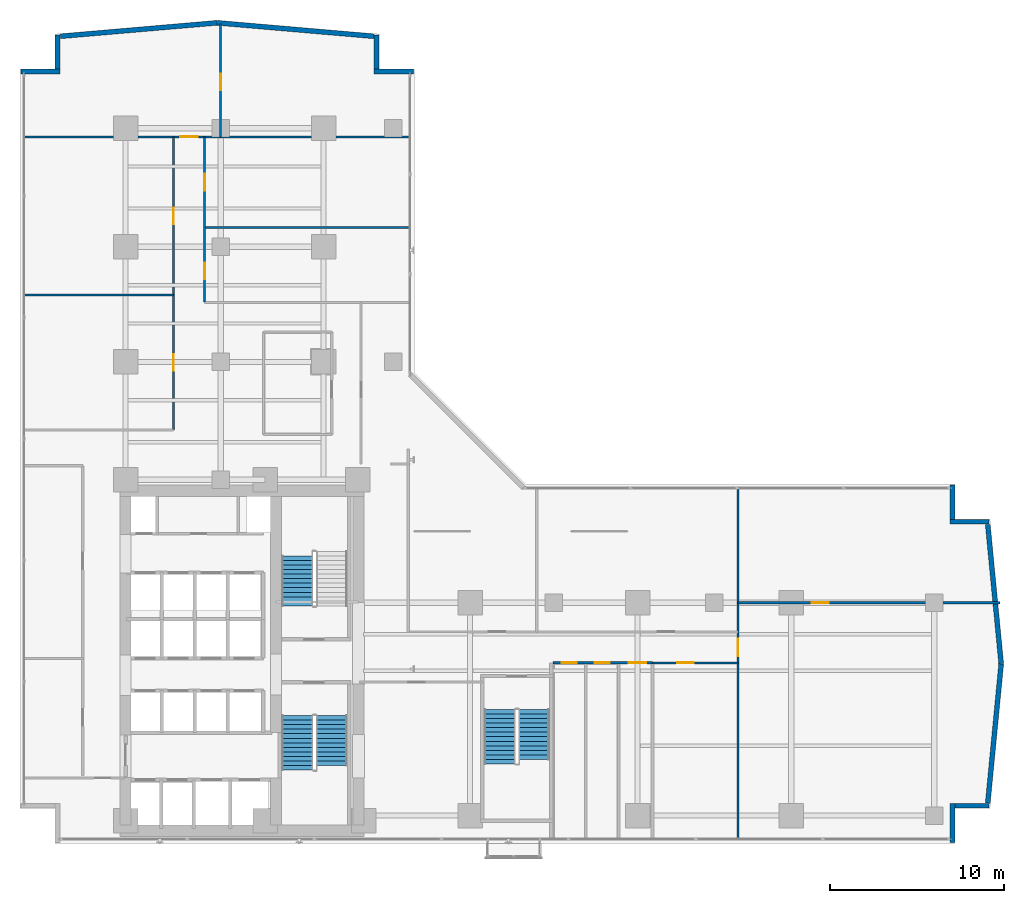
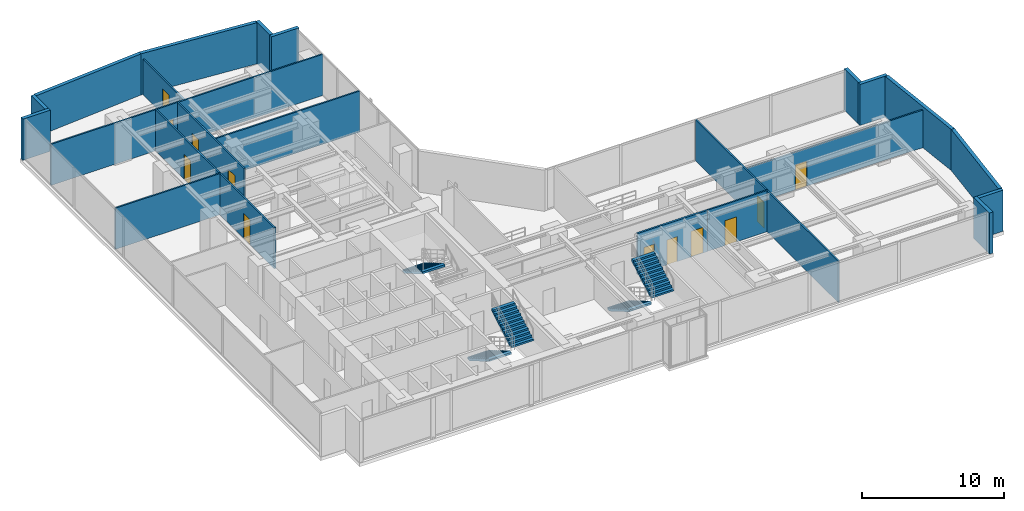
# One storey, part 21 of 26: 22 walls, 12 doors, 5 stair flights, 12 openings, 3 elements without a shape of their own.
"""IFC4 building model written with IfcOpenShell, lengths in metres."""

from ifc_helpers import new_model, si_unit, direction, frame, frame_2d, origin, place, context, subcontext, project, spatial, polyline, rectangle, outline, extrude, material, layer, layer_set, type_object, element, fill, aggregate, save


model = new_model("IFC4")

# Units and contexts
model_context = context("Model", 3, precision=1e-05, world=origin(), true_north=direction((0.0, 1.0)))
body_context = subcontext(model_context, "Body", "Model", "MODEL_VIEW")
ifc_project = project(units=[si_unit("LENGTHUNIT", "METRE"), si_unit("AREAUNIT", "SQUARE_METRE"), si_unit("VOLUMEUNIT", "CUBIC_METRE"), si_unit("PLANEANGLEUNIT", "RADIAN"), si_unit("MASSUNIT", "GRAM", prefix="KILO")], contexts=[model_context])

# Site, building, storey
site_placement = place(None, origin())
site = spatial("IfcSite", under=ifc_project, at=site_placement, CompositionType="ELEMENT")
building_placement = place(site_placement, origin())
building = spatial("IfcBuilding", under=site, at=building_placement, Name="Kolvaren Waterfront Exchange", CompositionType="ELEMENT")
storey_placement = place(building_placement, frame((0.0, 0.0, 110.699951171875)))
storey = spatial("IfcBuildingStorey", under=building, at=storey_placement, Name="L28", CompositionType="ELEMENT", Elevation=110.699951171875)

# Walls
ifc_material_1 = material(Name="Precast concrete C40/50", Category="concrete")
ifc_layer_1 = layer(ifc_material_1, 0.280029296875, Name="Precast concrete C40/50")
ifc_layer_set_1 = layer_set([ifc_layer_1], Name="Precast concrete C40/50")
wall_type_1 = type_object("IfcWallType", Name="ARC-EXT-TERR-280", PredefinedType="SOLIDWALL", material=ifc_layer_set_1)
wall_1_placement = place(storey_placement, frame((54.840087890625, 3.659912109375, 0.0), z_axis=(0.0, 0.0, 1.0), x_axis=(0.0, 1.0, 0.0)))
element("IfcWall", 1, at=wall_1_placement, inside=storey, type_object=wall_type_1, Name="L28 notched corner spandrel pier SE-A", PredefinedType="SOLIDWALL", context=body_context, shape_type="SweptSolid", body=[
    extrude(rectangle(XDim=2.239990234375, YDim=0.280029296875, at=frame_2d((1.1201171875, 0.0))), origin(), (0.0, 0.0, 1.0), 3.5400390625),
])
wall_2_placement = place(storey_placement, frame((54.97998046875, 5.760009765625, 0.0), z_axis=(0.0, 0.0, 1.0), x_axis=(1.0, 0.0, 0.0)))
element("IfcWall", 2, at=wall_2_placement, inside=storey, type_object=wall_type_1, Name="L28 notched corner spandrel pier SE-B", PredefinedType="SOLIDWALL", context=body_context, shape_type="SweptSolid", body=[
    extrude(rectangle(XDim=1.9599609375, YDim=0.280029296875, at=frame_2d((0.97998046875, 0.0))), origin(), (0.0, 0.0, 1.0), 3.5400390625),
])
wall_3_placement = place(storey_placement, frame((54.840087890625, 22.1650390625, 0.0), z_axis=(0.0, 0.0, 1.0), x_axis=(0.0, 1.0, 0.0)))
element("IfcWall", 3, at=wall_3_placement, inside=storey, type_object=wall_type_1, Name="L28 notched corner spandrel pier ENE-A", PredefinedType="SOLIDWALL", context=body_context, shape_type="SweptSolid", body=[
    extrude(rectangle(XDim=1.974853515625, YDim=0.280029296875, at=frame_2d((0.9873046875, 0.0))), origin(), (0.0, 0.0, 1.0), 3.5400390625),
])
for number, where, z_axis, x_axis, name in (
    (4, (54.699951171875, 22.0400390625, 0.0), (0.0, 0.0, 1.0), (1.0, 0.0, 0.0), "L28 notched corner spandrel pier ENE-B"),
    (5, (21.699951171875, 47.840087890625, 0.0), (0.0, 0.0, 1.0), (1.0, 0.0, 0.0), "L28 notched corner spandrel pier NNE-A"),
):
    element("IfcWall", number, at=place(storey_placement, frame(where, z_axis=z_axis, x_axis=x_axis)), inside=storey, type_object=wall_type_1, Name=name, PredefinedType="SOLIDWALL", context=body_context, shape_type="SweptSolid", body=[
        extrude(rectangle(XDim=2.239990234375, YDim=0.280029296875, at=frame_2d((1.1201171875, 0.0))), origin(), (0.0, 0.0, 1.0), 3.5400390625),
    ])
wall_4_placement = place(storey_placement, frame((21.840087890625, 47.97998046875, 0.0), z_axis=(0.0, 0.0, 1.0), x_axis=(0.0, 1.0, 0.0)))
element("IfcWall", 6, at=wall_4_placement, inside=storey, type_object=wall_type_1, Name="L28 notched corner spandrel pier NNE-B", PredefinedType="SOLIDWALL", context=body_context, shape_type="SweptSolid", body=[
    extrude(rectangle(XDim=1.9599609375, YDim=0.280029296875, at=frame_2d((0.97998046875, 0.0))), origin(), (0.0, 0.0, 1.0), 3.5400390625),
])
wall_5_placement = place(storey_placement, frame((1.4599609375, 47.840087890625, 0.0), z_axis=(0.0, 0.0, 1.0), x_axis=(1.0, 0.0, 0.0)))
element("IfcWall", 7, at=wall_5_placement, inside=storey, type_object=wall_type_1, Name="L28 notched corner spandrel pier NW-A", PredefinedType="SOLIDWALL", context=body_context, shape_type="SweptSolid", body=[
    extrude(rectangle(XDim=2.239990234375, YDim=0.280029296875, at=frame_2d((1.1201171875, 0.0))), origin(), (0.0, 0.0, 1.0), 3.5400390625),
])
wall_6_placement = place(storey_placement, frame((3.56005859375, 47.97998046875, 0.0), z_axis=(0.0, 0.0, 1.0), x_axis=(0.0, 1.0, 0.0)))
element("IfcWall", 8, at=wall_6_placement, inside=storey, type_object=wall_type_1, Name="L28 notched corner spandrel pier NW-B", PredefinedType="SOLIDWALL", context=body_context, shape_type="SweptSolid", body=[
    extrude(rectangle(XDim=1.9599609375, YDim=0.280029296875, at=frame_2d((0.97998046875, 0.0))), origin(), (0.0, 0.0, 1.0), 3.5400390625),
])
for number, where, z_axis, x_axis, name in (
    (9, (56.869384765625, 5.9140625, 0.0), (0.0, 0.0, 1.0), (0.095969995245, 0.995384227328, 0.0), "L28 east prow faceted facade wall 1"),
    (10, (57.638916015625, 13.904541015625, 0.0), (0.0, 0.0, 1.0), (-0.095969995245, 0.995384227328, 0.0), "L28 east prow faceted facade wall 2"),
):
    element("IfcWall", number, at=place(storey_placement, frame(where, z_axis=z_axis, x_axis=x_axis)), inside=storey, type_object=wall_type_1, Name=name, PredefinedType="SOLIDWALL", context=body_context, shape_type="SweptSolid", body=[
        extrude(rectangle(XDim=8.0185546875, YDim=0.280029296875, at=frame_2d((4.00927734375, 0.0))), origin(), (0.0, 0.0, 1.0), 3.5400390625),
    ])
for number, where, z_axis, x_axis, name in (
    (11, (21.6875, 49.8662109375, 0.0), (0.0, 0.0, 1.0), (-0.996319339243, 0.085719159179, 0.0), "L28 north prow faceted facade wall 1"),
    (12, (12.69384765625, 50.638916015625, 0.0), (0.0, 0.0, 1.0), (-0.996319339243, -0.085719159179, 0.0), "L28 north prow faceted facade wall 2"),
):
    element("IfcWall", number, at=place(storey_placement, frame(where, z_axis=z_axis, x_axis=x_axis)), inside=storey, type_object=wall_type_1, Name=name, PredefinedType="SOLIDWALL", context=body_context, shape_type="SweptSolid", body=[
        extrude(rectangle(XDim=9.014404296875, YDim=0.280029296875, at=frame_2d((4.50732421875, 0.0))), origin(), (0.0, 0.0, 1.0), 3.5400390625),
    ])

# Wall, opening, door
ifc_material_2 = material(Name="Acoustic gypsum steel stud", Category="steel")
ifc_layer_2 = layer(ifc_material_2, 0.125, Name="Acoustic gypsum steel stud")
ifc_layer_set_2 = layer_set([ifc_layer_2], Name="Acoustic gypsum steel stud")
wall_type_2 = type_object("IfcWallType", Name="ARC-PART-125", PredefinedType="PARTITIONING", material=ifc_layer_set_2)
wall_7_placement = place(storey_placement, frame((37.64990234375, 13.949951171875, 0.0), z_axis=(0.0, 0.0, 1.0), x_axis=(1.0, 0.0, 0.0)))
wall_7 = element("IfcWall", 13, at=wall_7_placement, inside=storey, type_object=wall_type_2, Name="L28 interior wall PW-L28-ES-CORR", PredefinedType="PARTITIONING", context=body_context, shape_type="SweptSolid", body=[
    extrude(rectangle(XDim=4.900146484375, YDim=0.125, at=frame_2d((2.4501953125, 0.0))), origin(), (0.0, 0.0, 1.0), 3.5400390625),
])
opening_1_placement = place(wall_7_placement, frame((1.4267578125, 0.0, 0.0)))
opening_1 = element("IfcOpeningElement", 14, at=opening_1_placement, cuts=wall_7, Name="Opening D02", PredefinedType="OPENING", context=body_context, shape_type="SweptSolid", body=[
    extrude(rectangle(XDim=0.949951171875, YDim=2.14990234375, at=frame_2d((0.47509765625, 1.074951171875))), frame((0.0, 0.072509765625, 0.0), z_axis=(0.0, -1.0, 0.0), x_axis=(1.0, 0.0, 0.0)), (0.0, 0.0, 1.0), 0.14501953125),
])
ifc_material_3 = material(Name="Oak veneer acoustic timber", Category="wood")
door_type_1 = type_object("IfcDoorType", Name="ARC-DR-950", OperationType="NOTDEFINED", PredefinedType="DOOR", material=ifc_material_3)
door_1_placement = place(opening_1_placement, origin())
door_1 = element("IfcDoor", 15, at=door_1_placement, inside=storey, type_object=door_type_1, Name="L28 door DR-L28-ES-D-1 (D02)", OperationType="SINGLE_SWING_LEFT", OverallHeight=2.14990234375, OverallWidth=0.949951171875, PredefinedType="DOOR", context=body_context, shape_type="SweptSolid", body=[
    extrude(rectangle(XDim=0.949951171875, YDim=2.14990234375, at=frame_2d((0.47509765625, 1.074951171875))), frame((0.0, 0.02490234375, 0.0), z_axis=(0.0, -1.0, 0.0), x_axis=(1.0, 0.0, 0.0)), (0.0, 0.0, 1.0), 0.050048828125),
])
fill(opening_1, door_1)

wall_8_placement = place(storey_placement, frame((42.550048828125, 3.840087890625, 0.0), z_axis=(0.0, 0.0, 1.0), x_axis=(0.0, 1.0, 0.0)))
wall_8 = element("IfcWall", 16, at=wall_8_placement, inside=storey, type_object=wall_type_2, Name="L28 interior wall PW-L28-ETIP-W", PredefinedType="PARTITIONING", context=body_context, shape_type="SweptSolid", body=[
    extrude(rectangle(XDim=20.119873046875, YDim=0.125, at=frame_2d((10.06005859375, 0.0))), origin(), (0.0, 0.0, 1.0), 3.5400390625),
])
opening_2_placement = place(wall_8_placement, frame((10.5, 0.0, 0.0)))
opening_2 = element("IfcOpeningElement", 17, at=opening_2_placement, cuts=wall_8, Name="Opening D03", PredefinedType="OPENING", context=body_context, shape_type="SweptSolid", body=[
    extrude(rectangle(XDim=1.0, YDim=2.199951171875, at=frame_2d((0.5, 1.10009765625))), frame((0.0, 0.072509765625, 0.0), z_axis=(0.0, -1.0, 0.0), x_axis=(1.0, 0.0, 0.0)), (0.0, 0.0, 1.0), 0.14501953125),
])
ifc_material_4 = material(Name="Oak veneer accessible timber", Category="wood")
door_type_2 = type_object("IfcDoorType", Name="ARC-DR-1000", OperationType="NOTDEFINED", PredefinedType="DOOR", material=ifc_material_4)
door_2_placement = place(opening_2_placement, origin())
door_2 = element("IfcDoor", 18, at=door_2_placement, inside=storey, type_object=door_type_2, Name="L28 door DR-L28-ETIP1-D (D03)", OperationType="SINGLE_SWING_RIGHT", OverallHeight=2.199951171875, OverallWidth=1.0, PredefinedType="DOOR", context=body_context, shape_type="SweptSolid", body=[
    extrude(rectangle(XDim=1.0, YDim=2.199951171875, at=frame_2d((0.5, 1.10009765625))), frame((0.0, 0.02490234375, 0.0), z_axis=(0.0, -1.0, 0.0), x_axis=(1.0, 0.0, 0.0)), (0.0, 0.0, 1.0), 0.050048828125),
])
fill(opening_2, door_2)

wall_9_placement = place(storey_placement, frame((42.550048828125, 17.39990234375, 0.0), z_axis=(0.0, 0.0, 1.0), x_axis=(1.0, 0.0, 0.0)))
wall_9 = element("IfcWall", 19, at=wall_9_placement, inside=storey, type_object=wall_type_2, Name="L28 interior wall PW-L28-ETIP-MID", PredefinedType="PARTITIONING", context=body_context, shape_type="SweptSolid", body=[
    extrude(rectangle(XDim=15.010009765625, YDim=0.125, at=frame_2d((7.5048828125, 0.0))), origin(), (0.0, 0.0, 1.0), 3.239990234375),
])
opening_3_placement = place(wall_9_placement, frame((4.24365234375, 0.0, 0.0)))
opening_3 = element("IfcOpeningElement", 20, at=opening_3_placement, cuts=wall_9, Name="Opening D02", PredefinedType="OPENING", context=body_context, shape_type="SweptSolid", body=[
    extrude(rectangle(XDim=0.949951171875, YDim=2.14990234375, at=frame_2d((0.47509765625, 1.074951171875))), frame((0.0, 0.072509765625, 0.0), z_axis=(0.0, -1.0, 0.0), x_axis=(1.0, 0.0, 0.0)), (0.0, 0.0, 1.0), 0.14501953125),
])
door_3_placement = place(opening_3_placement, origin())
door_3 = element("IfcDoor", 21, at=door_3_placement, inside=storey, type_object=door_type_1, Name="L28 door DR-L28-ETIP2-D (D02)", OperationType="SINGLE_SWING_LEFT", OverallHeight=2.14990234375, OverallWidth=0.949951171875, PredefinedType="DOOR", context=body_context, shape_type="SweptSolid", body=[
    extrude(rectangle(XDim=0.949951171875, YDim=2.14990234375, at=frame_2d((0.47509765625, 1.074951171875))), frame((0.0, 0.02490234375, 0.0), z_axis=(0.0, -1.0, 0.0), x_axis=(1.0, 0.0, 0.0)), (0.0, 0.0, 1.0), 0.050048828125),
])
fill(opening_3, door_3)

# Wall, openings, doors
wall_10_placement = place(storey_placement, frame((10.199951171875, 27.300048828125, 0.0), z_axis=(0.0, 0.0, 1.0), x_axis=(0.0, 1.0, 0.0)))
wall_10 = element("IfcWall", 22, at=wall_10_placement, inside=storey, type_object=wall_type_2, Name="L28 interior wall PW-L28-NW-CORR", PredefinedType="PARTITIONING", context=body_context, shape_type="SweptSolid", body=[
    extrude(rectangle(XDim=16.800048828125, YDim=0.125, at=frame_2d((8.39990234375, 0.0))), origin(), (0.0, 0.0, 1.0), 3.5400390625),
])
opening_4_placement = place(wall_10_placement, frame((3.389892578125, 0.0, 0.0)))
opening_4 = element("IfcOpeningElement", 23, at=opening_4_placement, cuts=wall_10, Name="Opening D02", PredefinedType="OPENING", context=body_context, shape_type="SweptSolid", body=[
    extrude(rectangle(XDim=0.949951171875, YDim=2.14990234375, at=frame_2d((0.47509765625, 1.074951171875))), frame((0.0, 0.072509765625, 0.0), z_axis=(0.0, -1.0, 0.0), x_axis=(1.0, 0.0, 0.0)), (0.0, 0.0, 1.0), 0.14501953125),
])
opening_5_placement = place(wall_10_placement, frame((11.7900390625, 0.0, 0.0)))
opening_5 = element("IfcOpeningElement", 24, at=opening_5_placement, cuts=wall_10, Name="Opening D02", PredefinedType="OPENING", context=body_context, shape_type="SweptSolid", body=[
    extrude(rectangle(XDim=0.949951171875, YDim=2.14990234375, at=frame_2d((0.47509765625, 1.074951171875))), frame((0.0, 0.072509765625, 0.0), z_axis=(0.0, -1.0, 0.0), x_axis=(1.0, 0.0, 0.0)), (0.0, 0.0, 1.0), 0.14501953125),
])
door_4_placement = place(opening_4_placement, origin())
door_4 = element("IfcDoor", 25, at=door_4_placement, inside=storey, type_object=door_type_1, Name="L28 door DR-L28-NW-D-1 (D02)", OperationType="SINGLE_SWING_RIGHT", OverallHeight=2.14990234375, OverallWidth=0.949951171875, PredefinedType="DOOR", context=body_context, shape_type="SweptSolid", body=[
    extrude(rectangle(XDim=0.949951171875, YDim=2.14990234375, at=frame_2d((0.47509765625, 1.074951171875))), frame((0.0, 0.02490234375, 0.0), z_axis=(0.0, -1.0, 0.0), x_axis=(1.0, 0.0, 0.0)), (0.0, 0.0, 1.0), 0.050048828125),
])
fill(opening_4, door_4)
door_5_placement = place(opening_5_placement, origin())
door_5 = element("IfcDoor", 26, at=door_5_placement, inside=storey, type_object=door_type_1, Name="L28 door DR-L28-NW-D-2 (D02)", OperationType="SINGLE_SWING_LEFT", OverallHeight=2.14990234375, OverallWidth=0.949951171875, PredefinedType="DOOR", context=body_context, shape_type="SweptSolid", body=[
    extrude(rectangle(XDim=0.949951171875, YDim=2.14990234375, at=frame_2d((0.47509765625, 1.074951171875))), frame((0.0, 0.02490234375, 0.0), z_axis=(0.0, -1.0, 0.0), x_axis=(1.0, 0.0, 0.0)), (0.0, 0.0, 1.0), 0.050048828125),
])
fill(opening_5, door_5)

# Wall
wall_11_placement = place(storey_placement, frame((1.639892578125, 35.030029296875, 0.0), z_axis=(0.0, 0.0, 1.0), x_axis=(1.0, 0.0, 0.0)))
element("IfcWall", 27, at=wall_11_placement, inside=storey, type_object=wall_type_2, Name="L28 interior wall PW-L28-NW-DIV-1", PredefinedType="PARTITIONING", context=body_context, shape_type="SweptSolid", body=[
    extrude(rectangle(XDim=8.56005859375, YDim=0.125, at=frame_2d((4.280029296875, 0.0))), origin(), (0.0, 0.0, 1.0), 3.5400390625),
])

# Wall, opening, door
wall_12_placement = place(storey_placement, frame((1.639892578125, 44.10009765625, 0.0), z_axis=(0.0, 0.0, 1.0), x_axis=(1.0, 0.0, 0.0)))
wall_12 = element("IfcWall", 28, at=wall_12_placement, inside=storey, type_object=wall_type_2, Name="L28 interior wall PW-L28-NTIP-S", PredefinedType="PARTITIONING", context=body_context, shape_type="SweptSolid", body=[
    extrude(rectangle(XDim=22.1201171875, YDim=0.125, at=frame_2d((11.06005859375, 0.0))), origin(), (0.0, 0.0, 1.0), 3.5400390625),
])
opening_6_placement = place(wall_12_placement, frame((8.949951171875, 0.0, 0.0)))
opening_6 = element("IfcOpeningElement", 29, at=opening_6_placement, cuts=wall_12, Name="Opening D03", PredefinedType="OPENING", context=body_context, shape_type="SweptSolid", body=[
    extrude(rectangle(XDim=1.0, YDim=2.199951171875, at=frame_2d((0.5, 1.10009765625))), frame((0.0, 0.072509765625, 0.0), z_axis=(0.0, -1.0, 0.0), x_axis=(1.0, 0.0, 0.0)), (0.0, 0.0, 1.0), 0.14501953125),
])
door_6_placement = place(opening_6_placement, origin())
door_6 = element("IfcDoor", 30, at=door_6_placement, inside=storey, type_object=door_type_2, Name="L28 door DR-L28-NTIPW-D (D03)", OperationType="SINGLE_SWING_RIGHT", OverallHeight=2.199951171875, OverallWidth=1.0, PredefinedType="DOOR", context=body_context, shape_type="SweptSolid", body=[
    extrude(rectangle(XDim=1.0, YDim=2.199951171875, at=frame_2d((0.5, 1.10009765625))), frame((0.0, 0.02490234375, 0.0), z_axis=(0.0, -1.0, 0.0), x_axis=(1.0, 0.0, 0.0)), (0.0, 0.0, 1.0), 0.050048828125),
])
fill(opening_6, door_6)

wall_13_placement = place(storey_placement, frame((12.89990234375, 44.10009765625, 0.0), z_axis=(0.0, 0.0, 1.0), x_axis=(0.0, 1.0, 0.0)))
wall_13 = element("IfcWall", 31, at=wall_13_placement, inside=storey, type_object=wall_type_2, Name="L28 interior wall PW-L28-NTIP-DIV", PredefinedType="PARTITIONING", context=body_context, shape_type="SweptSolid", body=[
    extrude(rectangle(XDim=6.4599609375, YDim=0.125, at=frame_2d((3.22998046875, 0.0))), origin(), (0.0, 0.0, 1.0), 3.0400390625),
])
opening_7_placement = place(wall_13_placement, frame((2.677490234375, 0.0, 0.0)))
opening_7 = element("IfcOpeningElement", 32, at=opening_7_placement, cuts=wall_13, Name="Opening D02", PredefinedType="OPENING", context=body_context, shape_type="SweptSolid", body=[
    extrude(rectangle(XDim=0.949951171875, YDim=2.14990234375, at=frame_2d((0.47509765625, 1.074951171875))), frame((0.0, 0.072509765625, 0.0), z_axis=(0.0, -1.0, 0.0), x_axis=(1.0, 0.0, 0.0)), (0.0, 0.0, 1.0), 0.14501953125),
])
door_7_placement = place(opening_7_placement, origin())
door_7 = element("IfcDoor", 33, at=door_7_placement, inside=storey, type_object=door_type_1, Name="L28 door DR-L28-NTIPE-D (D02)", OperationType="SINGLE_SWING_LEFT", OverallHeight=2.14990234375, OverallWidth=0.949951171875, PredefinedType="DOOR", context=body_context, shape_type="SweptSolid", body=[
    extrude(rectangle(XDim=0.949951171875, YDim=2.14990234375, at=frame_2d((0.47509765625, 1.074951171875))), frame((0.0, 0.02490234375, 0.0), z_axis=(0.0, -1.0, 0.0), x_axis=(1.0, 0.0, 0.0)), (0.0, 0.0, 1.0), 0.050048828125),
])
fill(opening_7, door_7)

# Wall, openings, doors
wall_14_placement = place(storey_placement, frame((11.97998046875, 34.64990234375, 0.0), z_axis=(0.0, 0.0, 1.0), x_axis=(0.0, 1.0, 0.0)))
wall_14 = element("IfcWall", 34, at=wall_14_placement, inside=storey, type_object=wall_type_2, Name="L28 interior wall PW-L28-NE-CORR", PredefinedType="PARTITIONING", context=body_context, shape_type="SweptSolid", body=[
    extrude(rectangle(XDim=9.4501953125, YDim=0.125, at=frame_2d((4.72509765625, 0.0))), origin(), (0.0, 0.0, 1.0), 3.5400390625),
])
opening_8_placement = place(wall_14_placement, frame((1.282470703125, 0.0, 0.0)))
opening_8 = element("IfcOpeningElement", 35, at=opening_8_placement, cuts=wall_14, Name="Opening D02", PredefinedType="OPENING", context=body_context, shape_type="SweptSolid", body=[
    extrude(rectangle(XDim=0.949951171875, YDim=2.14990234375, at=frame_2d((0.47509765625, 1.074951171875))), frame((0.0, 0.072509765625, 0.0), z_axis=(0.0, -1.0, 0.0), x_axis=(1.0, 0.0, 0.0)), (0.0, 0.0, 1.0), 0.14501953125),
])
opening_9_placement = place(wall_14_placement, frame((6.375, 0.0, 0.0)))
opening_9 = element("IfcOpeningElement", 36, at=opening_9_placement, cuts=wall_14, Name="Opening D02", PredefinedType="OPENING", context=body_context, shape_type="SweptSolid", body=[
    extrude(rectangle(XDim=0.949951171875, YDim=2.14990234375, at=frame_2d((0.47509765625, 1.074951171875))), frame((0.0, 0.072509765625, 0.0), z_axis=(0.0, -1.0, 0.0), x_axis=(1.0, 0.0, 0.0)), (0.0, 0.0, 1.0), 0.14501953125),
])
door_8_placement = place(opening_8_placement, origin())
door_8 = element("IfcDoor", 37, at=door_8_placement, inside=storey, type_object=door_type_1, Name="L28 door DR-L28-NE-D-1 (D02)", OperationType="SINGLE_SWING_RIGHT", OverallHeight=2.14990234375, OverallWidth=0.949951171875, PredefinedType="DOOR", context=body_context, shape_type="SweptSolid", body=[
    extrude(rectangle(XDim=0.949951171875, YDim=2.14990234375, at=frame_2d((0.47509765625, 1.074951171875))), frame((0.0, 0.02490234375, 0.0), z_axis=(0.0, -1.0, 0.0), x_axis=(1.0, 0.0, 0.0)), (0.0, 0.0, 1.0), 0.050048828125),
])
fill(opening_8, door_8)
door_9_placement = place(opening_9_placement, origin())
door_9 = element("IfcDoor", 38, at=door_9_placement, inside=storey, type_object=door_type_1, Name="L28 door DR-L28-NE-D-2 (D02)", OperationType="SINGLE_SWING_LEFT", OverallHeight=2.14990234375, OverallWidth=0.949951171875, PredefinedType="DOOR", context=body_context, shape_type="SweptSolid", body=[
    extrude(rectangle(XDim=0.949951171875, YDim=2.14990234375, at=frame_2d((0.47509765625, 1.074951171875))), frame((0.0, 0.02490234375, 0.0), z_axis=(0.0, -1.0, 0.0), x_axis=(1.0, 0.0, 0.0)), (0.0, 0.0, 1.0), 0.050048828125),
])
fill(opening_9, door_9)

# Wall
wall_15_placement = place(storey_placement, frame((11.97998046875, 38.89990234375, 0.0), z_axis=(0.0, 0.0, 1.0), x_axis=(1.0, 0.0, 0.0)))
element("IfcWall", 39, at=wall_15_placement, inside=storey, type_object=wall_type_2, Name="L28 interior wall PW-L28-NE-DIV-1", PredefinedType="PARTITIONING", context=body_context, shape_type="SweptSolid", body=[
    extrude(rectangle(XDim=11.780029296875, YDim=0.125, at=frame_2d((5.89013671875, 0.0))), origin(), (0.0, 0.0, 1.0), 3.5400390625),
])

# Wall, openings, doors
ifc_material_5 = material(Name="Moisture-resistant gypsum stud")
ifc_layer_3 = layer(ifc_material_5, 0.14990234375, Name="Moisture-resistant gypsum stud")
ifc_layer_set_3 = layer_set([ifc_layer_3], Name="Moisture-resistant gypsum stud")
wall_type_3 = type_object("IfcWallType", Name="ARC-PLUMB-150", PredefinedType="PLUMBINGWALL", material=ifc_layer_set_3)
wall_16_placement = place(storey_placement, frame((31.949951171875, 13.949951171875, 0.0), z_axis=(0.0, 0.0, 1.0), x_axis=(1.0, 0.0, 0.0)))
wall_16 = element("IfcWall", 40, at=wall_16_placement, inside=storey, type_object=wall_type_3, Name="L28 interior wall PW-L28-WC-N", PredefinedType="PLUMBINGWALL", context=body_context, shape_type="SweptSolid", body=[
    extrude(rectangle(XDim=5.699951171875, YDim=0.14990234375, at=frame_2d((2.85009765625, 0.0))), origin(), (0.0, 0.0, 1.0), 3.5400390625),
])
opening_10_placement = place(wall_16_placement, frame((0.514892578125, 0.0, 0.0)))
opening_10 = element("IfcOpeningElement", 41, at=opening_10_placement, cuts=wall_16, Name="Opening D01", PredefinedType="OPENING", context=body_context, shape_type="SweptSolid", body=[
    extrude(rectangle(XDim=0.85009765625, YDim=2.14990234375, at=frame_2d((0.425048828125, 1.074951171875))), frame((0.0, 0.0849609375, 0.0), z_axis=(0.0, -1.0, 0.0), x_axis=(1.0, 0.0, 0.0)), (0.0, 0.0, 1.0), 0.169921875),
])
opening_11_placement = place(wall_16_placement, frame((2.39501953125, 0.0, 0.0)))
opening_11 = element("IfcOpeningElement", 42, at=opening_11_placement, cuts=wall_16, Name="Opening D01", PredefinedType="OPENING", context=body_context, shape_type="SweptSolid", body=[
    extrude(rectangle(XDim=0.85009765625, YDim=2.14990234375, at=frame_2d((0.425048828125, 1.074951171875))), frame((0.0, 0.0849609375, 0.0), z_axis=(0.0, -1.0, 0.0), x_axis=(1.0, 0.0, 0.0)), (0.0, 0.0, 1.0), 0.169921875),
])
opening_12_placement = place(wall_16_placement, frame((4.35009765625, 0.0, 0.0)))
opening_12 = element("IfcOpeningElement", 43, at=opening_12_placement, cuts=wall_16, Name="Opening D03", PredefinedType="OPENING", context=body_context, shape_type="SweptSolid", body=[
    extrude(rectangle(XDim=1.0, YDim=2.199951171875, at=frame_2d((0.5, 1.10009765625))), frame((0.0, 0.0849609375, 0.0), z_axis=(0.0, -1.0, 0.0), x_axis=(1.0, 0.0, 0.0)), (0.0, 0.0, 1.0), 0.169921875),
])
door_10_placement = place(opening_12_placement, origin())
door_10 = element("IfcDoor", 44, at=door_10_placement, inside=storey, type_object=door_type_2, Name="L28 door DR-L28-WCA-D (D03)", OperationType="SINGLE_SWING_LEFT", OverallHeight=2.199951171875, OverallWidth=1.0, PredefinedType="DOOR", context=body_context, shape_type="SweptSolid", body=[
    extrude(rectangle(XDim=1.0, YDim=2.199951171875, at=frame_2d((0.5, 1.10009765625))), frame((0.0, 0.02490234375, 0.0), z_axis=(0.0, -1.0, 0.0), x_axis=(1.0, 0.0, 0.0)), (0.0, 0.0, 1.0), 0.050048828125),
])
fill(opening_12, door_10)
ifc_material_6 = material(Name="Oak veneer timber leaf", Category="wood")
door_type_3 = type_object("IfcDoorType", Name="ARC-DR-900", OperationType="NOTDEFINED", PredefinedType="DOOR", material=ifc_material_6)
door_11_placement = place(opening_10_placement, origin())
door_11 = element("IfcDoor", 45, at=door_11_placement, inside=storey, type_object=door_type_3, Name="L28 door DR-L28-WCM-D (D01)", OperationType="SINGLE_SWING_LEFT", OverallHeight=2.14990234375, OverallWidth=0.85009765625, PredefinedType="DOOR", context=body_context, shape_type="SweptSolid", body=[
    extrude(rectangle(XDim=0.85009765625, YDim=2.14990234375, at=frame_2d((0.425048828125, 1.074951171875))), frame((0.0, 0.02490234375, 0.0), z_axis=(0.0, -1.0, 0.0), x_axis=(1.0, 0.0, 0.0)), (0.0, 0.0, 1.0), 0.050048828125),
])
fill(opening_10, door_11)
door_12_placement = place(opening_11_placement, origin())
door_12 = element("IfcDoor", 46, at=door_12_placement, inside=storey, type_object=door_type_3, Name="L28 door DR-L28-WCF-D (D01)", OperationType="SINGLE_SWING_RIGHT", OverallHeight=2.14990234375, OverallWidth=0.85009765625, PredefinedType="DOOR", context=body_context, shape_type="SweptSolid", body=[
    extrude(rectangle(XDim=0.85009765625, YDim=2.14990234375, at=frame_2d((0.425048828125, 1.074951171875))), frame((0.0, 0.02490234375, 0.0), z_axis=(0.0, -1.0, 0.0), x_axis=(1.0, 0.0, 0.0)), (0.0, 0.0, 1.0), 0.050048828125),
])
fill(opening_11, door_12)

# Stair, stair flights
ifc_material_7 = material(Name="Concrete C40/50", Category="concrete")
stair_type = type_object("IfcStairType", Name="ARC-STAIR-3800", PredefinedType="HALF_TURN_STAIR", material=ifc_material_7)
stair_1_placement = place(storey_placement, origin())
stair_1 = element("IfcStair", 47, at=stair_1_placement, inside=storey, type_object=stair_type, Name="L28 Smoke-proof exit stair ST1", PredefinedType="HALF_TURN_STAIR")
stair_flight_type = type_object("IfcStairFlightType", Name="ARC-FLIGHT-3800", PredefinedType="STRAIGHT", material=ifc_material_7)
stair_flight_1_placement = place(storey_placement, frame((17.300048828125, 10.929931640625, 0.0), z_axis=(0.0, 0.0, 1.0), x_axis=(0.0, -1.0, 0.0)))
stair_flight_1 = element("IfcStairFlight", 48, at=stair_flight_1_placement, type_object=stair_flight_type, Name="ST1 flight 1", NumberOfRisers=13, NumberOfTreads=12, PredefinedType="STRAIGHT", RiserHeight=0.152, TreadLength=0.26, context=body_context, shape_type="SweptSolid", body=[
    extrude(outline(polyline([(0.0, 0.0), (0.0, 0.152099609375), (0.260009765625, 0.152099609375), (0.260009765625, 0.303955078125), (0.52001953125, 0.303955078125), (0.52001953125, 0.4560546875), (0.780029296875, 0.4560546875), (0.780029296875, 0.60791015625), (1.0400390625, 0.60791015625), (1.0400390625, 0.760009765625), (1.300048828125, 0.760009765625), (1.300048828125, 0.912109375), (1.56005859375, 0.912109375), (1.56005859375, 1.06396484375), (1.820068359375, 1.06396484375), (1.820068359375, 1.216064453125), (2.080078125, 1.216064453125), (2.080078125, 1.367919921875), (2.340087890625, 1.367919921875), (2.340087890625, 1.52001953125), (2.60009765625, 1.52001953125), (2.60009765625, 1.672119140625), (2.860107421875, 1.672119140625), (2.860107421875, 1.823974609375), (3.1201171875, 1.823974609375), (3.1201171875, 1.97607421875), (3.1201171875, 1.650390625), (0.297119140625, 0.0), (0.0, 0.0)])), frame((0.0, 0.89990234375, 0.0), z_axis=(0.0, -1.0, 0.0), x_axis=(1.0, 0.0, 0.0)), (0.0, 0.0, 1.0), 1.800048828125),
])
stair_flight_2_placement = place(storey_placement, frame((19.260009765625, 8.070068359375, 1.97607421875), z_axis=(0.0, 0.0, 1.0), x_axis=(0.0, 1.0, 0.0)))
stair_flight_2 = element("IfcStairFlight", 49, at=stair_flight_2_placement, type_object=stair_flight_type, Name="ST1 flight 2", NumberOfRisers=12, NumberOfTreads=11, PredefinedType="STRAIGHT", RiserHeight=0.152, TreadLength=0.26, context=body_context, shape_type="SweptSolid", body=[
    extrude(outline(polyline([(0.0, 0.0), (0.0, 0.152099609375), (0.260009765625, 0.152099609375), (0.260009765625, 0.303955078125), (0.52001953125, 0.303955078125), (0.52001953125, 0.4560546875), (0.780029296875, 0.4560546875), (0.780029296875, 0.60791015625), (1.0400390625, 0.60791015625), (1.0400390625, 0.760009765625), (1.300048828125, 0.760009765625), (1.300048828125, 0.912109375), (1.56005859375, 0.912109375), (1.56005859375, 1.06396484375), (1.820068359375, 1.06396484375), (1.820068359375, 1.216064453125), (2.080078125, 1.216064453125), (2.080078125, 1.367919921875), (2.340087890625, 1.367919921875), (2.340087890625, 1.52001953125), (2.60009765625, 1.52001953125), (2.60009765625, 1.672119140625), (2.860107421875, 1.672119140625), (2.860107421875, 1.823974609375), (2.860107421875, 1.498291015625), (0.297119140625, 0.0), (0.0, 0.0)])), frame((0.0, 0.89990234375, 0.0), z_axis=(0.0, -1.0, 0.0), x_axis=(1.0, 0.0, 0.0)), (0.0, 0.0, 1.0), 1.800048828125),
])
aggregate(stair_1, [stair_flight_1, stair_flight_2])

# Stair, stair flight
stair_2_placement = place(storey_placement, origin())
stair_2 = element("IfcStair", 50, at=stair_2_placement, inside=storey, type_object=stair_type, Name="L28 Smoke-proof exit stair ST2", PredefinedType="HALF_TURN_STAIR")
stair_flight_3_placement = place(storey_placement, frame((17.300048828125, 20.080078125, 1.97607421875), z_axis=(0.0, 0.0, 1.0), x_axis=(0.0, -1.0, 0.0)))
stair_flight_3 = element("IfcStairFlight", 51, at=stair_flight_3_placement, type_object=stair_flight_type, Name="ST2 flight 2", NumberOfRisers=12, NumberOfTreads=11, PredefinedType="STRAIGHT", RiserHeight=0.152, TreadLength=0.26, context=body_context, shape_type="SweptSolid", body=[
    extrude(outline(polyline([(0.0, 0.0), (0.0, 0.152099609375), (0.260009765625, 0.152099609375), (0.260009765625, 0.303955078125), (0.52001953125, 0.303955078125), (0.52001953125, 0.4560546875), (0.780029296875, 0.4560546875), (0.780029296875, 0.60791015625), (1.0400390625, 0.60791015625), (1.0400390625, 0.760009765625), (1.300048828125, 0.760009765625), (1.300048828125, 0.912109375), (1.56005859375, 0.912109375), (1.56005859375, 1.06396484375), (1.820068359375, 1.06396484375), (1.820068359375, 1.216064453125), (2.080078125, 1.216064453125), (2.080078125, 1.367919921875), (2.340087890625, 1.367919921875), (2.340087890625, 1.52001953125), (2.60009765625, 1.52001953125), (2.60009765625, 1.672119140625), (2.860107421875, 1.672119140625), (2.860107421875, 1.823974609375), (2.860107421875, 1.498291015625), (0.297119140625, 0.0), (0.0, 0.0)])), frame((0.0, 0.89990234375, 0.0), z_axis=(0.0, -1.0, 0.0), x_axis=(1.0, 0.0, 0.0)), (0.0, 0.0, 1.0), 1.800048828125),
])
aggregate(stair_2, [stair_flight_3])

# Stair, stair flights
stair_3_placement = place(storey_placement, origin())
stair_3 = element("IfcStair", 52, at=stair_3_placement, inside=storey, type_object=stair_type, Name="L28 Exit stair ST3", PredefinedType="HALF_TURN_STAIR")
stair_flight_4_placement = place(storey_placement, frame((28.89990234375, 11.280029296875, 0.0), z_axis=(0.0, 0.0, 1.0), x_axis=(0.0, -1.0, 0.0)))
stair_flight_4 = element("IfcStairFlight", 53, at=stair_flight_4_placement, type_object=stair_flight_type, Name="ST3 flight 1", NumberOfRisers=13, NumberOfTreads=12, PredefinedType="STRAIGHT", RiserHeight=0.152, TreadLength=0.26, context=body_context, shape_type="SweptSolid", body=[
    extrude(outline(polyline([(0.0, 0.0), (0.0, 0.152099609375), (0.260009765625, 0.152099609375), (0.260009765625, 0.303955078125), (0.52001953125, 0.303955078125), (0.52001953125, 0.4560546875), (0.780029296875, 0.4560546875), (0.780029296875, 0.60791015625), (1.0400390625, 0.60791015625), (1.0400390625, 0.760009765625), (1.300048828125, 0.760009765625), (1.300048828125, 0.912109375), (1.56005859375, 0.912109375), (1.56005859375, 1.06396484375), (1.820068359375, 1.06396484375), (1.820068359375, 1.216064453125), (2.080078125, 1.216064453125), (2.080078125, 1.367919921875), (2.340087890625, 1.367919921875), (2.340087890625, 1.52001953125), (2.60009765625, 1.52001953125), (2.60009765625, 1.672119140625), (2.860107421875, 1.672119140625), (2.860107421875, 1.823974609375), (3.1201171875, 1.823974609375), (3.1201171875, 1.97607421875), (3.1201171875, 1.650390625), (0.297119140625, 0.0), (0.0, 0.0)])), frame((0.0, 0.89990234375, 0.0), z_axis=(0.0, -1.0, 0.0), x_axis=(1.0, 0.0, 0.0)), (0.0, 0.0, 1.0), 1.800048828125),
])
stair_flight_5_placement = place(storey_placement, frame((30.860107421875, 8.419921875, 1.97607421875), z_axis=(0.0, 0.0, 1.0), x_axis=(0.0, 1.0, 0.0)))
stair_flight_5 = element("IfcStairFlight", 54, at=stair_flight_5_placement, type_object=stair_flight_type, Name="ST3 flight 2", NumberOfRisers=12, NumberOfTreads=11, PredefinedType="STRAIGHT", RiserHeight=0.152, TreadLength=0.26, context=body_context, shape_type="SweptSolid", body=[
    extrude(outline(polyline([(0.0, 0.0), (0.0, 0.152099609375), (0.260009765625, 0.152099609375), (0.260009765625, 0.303955078125), (0.52001953125, 0.303955078125), (0.52001953125, 0.4560546875), (0.780029296875, 0.4560546875), (0.780029296875, 0.60791015625), (1.0400390625, 0.60791015625), (1.0400390625, 0.760009765625), (1.300048828125, 0.760009765625), (1.300048828125, 0.912109375), (1.56005859375, 0.912109375), (1.56005859375, 1.06396484375), (1.820068359375, 1.06396484375), (1.820068359375, 1.216064453125), (2.080078125, 1.216064453125), (2.080078125, 1.367919921875), (2.340087890625, 1.367919921875), (2.340087890625, 1.52001953125), (2.60009765625, 1.52001953125), (2.60009765625, 1.672119140625), (2.860107421875, 1.672119140625), (2.860107421875, 1.823974609375), (2.860107421875, 1.498291015625), (0.297119140625, 0.0), (0.0, 0.0)])), frame((0.0, 0.89990234375, 0.0), z_axis=(0.0, -1.0, 0.0), x_axis=(1.0, 0.0, 0.0)), (0.0, 0.0, 1.0), 1.800048828125),
])
aggregate(stair_3, [stair_flight_4, stair_flight_5])

save(model, "model.ifc")
